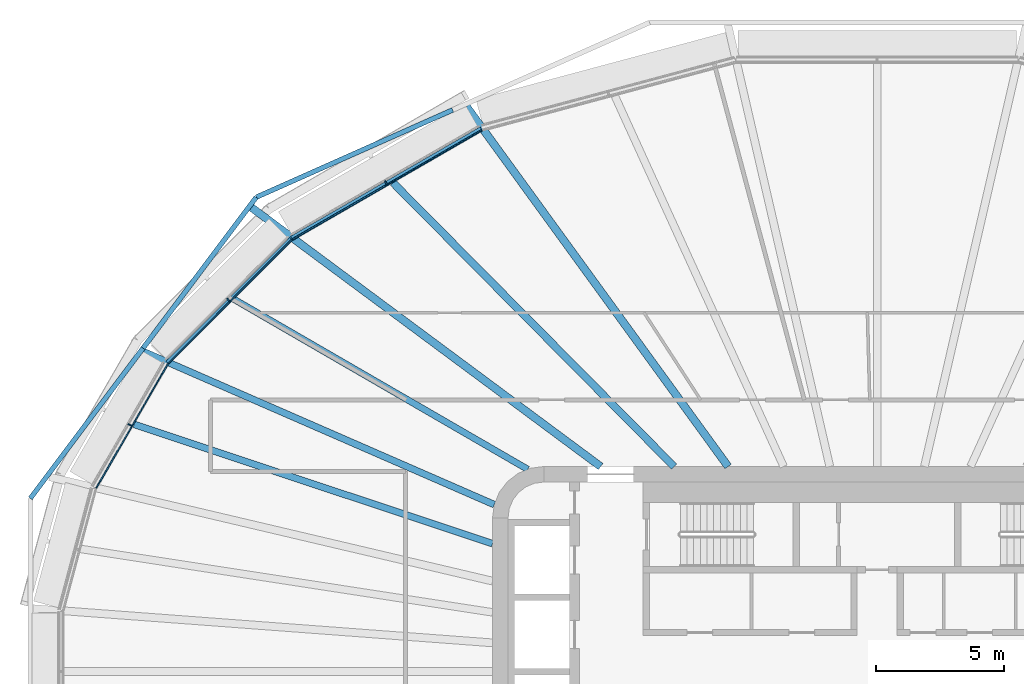
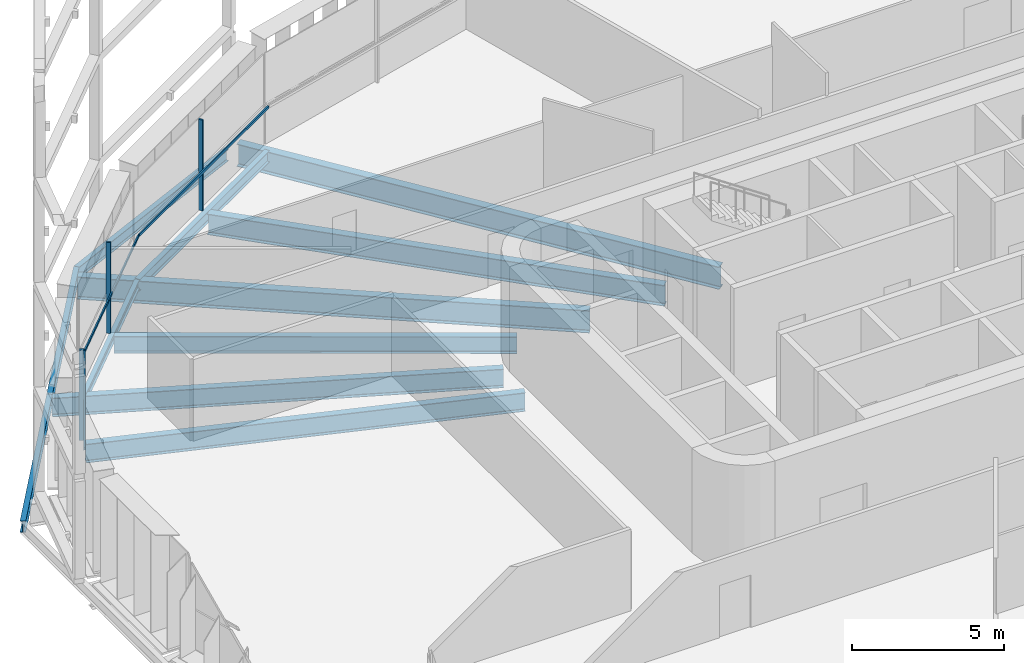
# One storey, part 7 of 26: 11 beams, 6 members, 3 elements without a shape of their own.
"""IFC4 building model written with IfcOpenShell, lengths in metres."""

from ifc_helpers import new_model, si_unit, direction, frame, origin, origin_2d, place, context, subcontext, project, spatial, rectangle, i_section, extrude, material, layer, layer_set, material_profile, profile_set, type_object, element, aggregate, save


model = new_model("IFC4")

# Units and contexts
model_context = context("Model", 3, precision=1e-05, world=origin(), true_north=direction((0.0, 1.0)))
body_context = subcontext(model_context, "Body", "Model", "MODEL_VIEW")
ifc_project = project(units=[si_unit("LENGTHUNIT", "METRE"), si_unit("AREAUNIT", "SQUARE_METRE"), si_unit("VOLUMEUNIT", "CUBIC_METRE"), si_unit("PLANEANGLEUNIT", "RADIAN"), si_unit("MASSUNIT", "GRAM", prefix="KILO")], contexts=[model_context])

# Site, building, storey
site_placement = place(None, origin())
site = spatial("IfcSite", under=ifc_project, at=site_placement, CompositionType="ELEMENT")
building_placement = place(site_placement, origin())
building = spatial("IfcBuilding", under=site, at=building_placement, Name="Sahrelin Media Tower", CompositionType="ELEMENT")
storey_placement = place(building_placement, frame((0.0, 0.0, 102.0)))
storey = spatial("IfcBuildingStorey", under=building, at=storey_placement, Name="L19", CompositionType="ELEMENT", Elevation=102.0)

# Beams
ifc_material_1 = material(Name="Steel S355", Category="steel")
ifc_material_profile_1 = material_profile(ifc_material_1, i_section(OverallWidth=0.17138671875, OverallDepth=0.35498046875, WebThickness=0.00732421875, FlangeThickness=0.011474609375, FilletRadius=0.01025390625, at=origin_2d()), Name="UB 356x171x51")
ifc_profile_set_1 = profile_set([ifc_material_profile_1], Name="Steel S355")
beam_type_1 = type_object("IfcBeamType", Name="Edge beam EB3", PredefinedType="BEAM", material=ifc_profile_set_1)
beam_1_placement = place(storey_placement, frame((-27.68115234375, 12.048583984375, -0.327392578125), z_axis=(0.707124646667, 0.707088915255, 0.0), x_axis=(-0.707088915255, 0.707124646667, 0.0)))
element("IfcBeam", 1, at=beam_1_placement, inside=storey, type_object=beam_type_1, Name="Edge beam L19-16", PredefinedType="BEAM", context=body_context, shape_type="SweptSolid", body=[
    extrude(i_section(OverallWidth=0.17138671875, OverallDepth=0.35498046875, WebThickness=0.00732421875, FlangeThickness=0.011474609375, FilletRadius=0.01025390625, at=origin_2d()), origin(), (0.0, 0.0, 1.0), 6.832763671875),
])
ifc_material_profile_2 = material_profile(ifc_material_1, i_section(OverallWidth=0.1904296875, OverallDepth=0.45703125, WebThickness=0.009033203125, FlangeThickness=0.014404296875, FilletRadius=0.01025390625, at=origin_2d()), Name="UB 457x191x74")
ifc_profile_set_2 = profile_set([ifc_material_profile_2], Name="Steel S355")
beam_type_2 = type_object("IfcBeamType", Name="Edge beam EB5", PredefinedType="BEAM", material=ifc_profile_set_2)
beam_2_placement = place(storey_placement, frame((-22.82666015625, 16.8974609375, -0.37841796875), z_axis=(0.866017364183, 0.500013924739, 0.0), x_axis=(-0.500013924739, 0.866017364183, 0.0)))
element("IfcBeam", 2, at=beam_2_placement, inside=storey, type_object=beam_type_2, Name="Edge beam L19-17", PredefinedType="BEAM", context=body_context, shape_type="SweptSolid", body=[
    extrude(i_section(OverallWidth=0.1904296875, OverallDepth=0.45703125, WebThickness=0.009033203125, FlangeThickness=0.014404296875, FilletRadius=0.01025390625, at=origin_2d()), origin(), (0.0, 0.0, 1.0), 8.531494140625),
])

# Curtain wall, member
ifc_material_2 = material(Name="Champagne anodised aluminium 6063-T6", Category="aluminium")
ifc_layer = layer(ifc_material_2, 0.14990234375)
ifc_layer_set = layer_set([ifc_layer], Name="Tower ribbon curtain wall")
curtain_wall_type = type_object("IfcCurtainWallType", Name="Tower ribbon curtain wall", PredefinedType="NOTDEFINED", material=ifc_layer_set)
curtain_wall_1_placement = place(storey_placement, frame((-19.20751953125, 19.160400390625, 0.0), z_axis=(0.0, 0.0, 1.0), x_axis=(1.0, 0.0, 0.0)))
curtain_wall_1 = element("IfcCurtainWall", 3, at=curtain_wall_1_placement, inside=storey, type_object=curtain_wall_type, Name="L19:CW:L19-08", PredefinedType="NOTDEFINED")
ifc_material_profile_3 = material_profile(ifc_material_2, rectangle(XDim=0.06005859375, YDim=0.14990234375, at=origin_2d()), Name="Mullion 60x150")
ifc_profile_set_3 = profile_set([ifc_material_profile_3], Name="Champagne anodised aluminium 6063-T6")
member_type_1 = type_object("IfcMemberType", Name="Mullion 60x150 CW1", PredefinedType="MULLION", material=ifc_profile_set_3)
member_1_placement = place(storey_placement, frame((-19.159912109375, 19.077880859375, 0.0), z_axis=(0.0, 0.0, 1.0), x_axis=(-0.866024531118, -0.500001511499, 0.0)))
member_1 = element("IfcMember", 4, at=member_1_placement, type_object=member_type_1, Name="L19:CWM:L19-08", PredefinedType="MULLION", context=body_context, shape_type="SweptSolid", body=[
    extrude(rectangle(XDim=0.06005859375, YDim=0.14990234375, at=origin_2d()), origin(), (0.0, 0.0, 1.0), 3.648681640625),
])

curtain_wall_2_placement = place(storey_placement, frame((-25.371337890625, 14.5703125, 0.0), z_axis=(0.0, 0.0, 1.0), x_axis=(1.0, 0.0, 0.0)))
curtain_wall_2 = element("IfcCurtainWall", 5, at=curtain_wall_2_placement, inside=storey, type_object=curtain_wall_type, Name="L19:CW:L19-09", PredefinedType="NOTDEFINED")
member_2_placement = place(storey_placement, frame((-25.30419921875, 14.503173828125, 0.0), z_axis=(0.0, 0.0, 1.0), x_axis=(-0.707106781187, -0.707106781187, 0.0)))
member_2 = element("IfcMember", 6, at=member_2_placement, type_object=member_type_1, Name="L19:CWM:L19-09", PredefinedType="MULLION", context=body_context, shape_type="SweptSolid", body=[
    extrude(rectangle(XDim=0.06005859375, YDim=0.14990234375, at=origin_2d()), origin(), (0.0, 0.0, 1.0), 3.648681640625),
])

curtain_wall_3_placement = place(storey_placement, frame((-29.231689453125, 9.67041015625, 0.0), z_axis=(0.0, 0.0, 1.0), x_axis=(1.0, 0.0, 0.0)))
curtain_wall_3 = element("IfcCurtainWall", 7, at=curtain_wall_3_placement, inside=storey, type_object=curtain_wall_type, Name="L19:CW:L19-10", PredefinedType="NOTDEFINED")
member_3_placement = place(storey_placement, frame((-29.1494140625, 9.622802734375, 0.0), z_axis=(0.0, 0.0, 1.0), x_axis=(-0.500004534492, -0.866022785779, 0.0)))
member_3 = element("IfcMember", 8, at=member_3_placement, type_object=member_type_1, Name="L19:CWM:L19-10", PredefinedType="MULLION", context=body_context, shape_type="SweptSolid", body=[
    extrude(rectangle(XDim=0.06005859375, YDim=0.14990234375, at=origin_2d()), origin(), (0.0, 0.0, 1.0), 3.648681640625),
])

# Beams
ifc_material_profile_4 = material_profile(ifc_material_1, i_section(OverallWidth=0.30322265625, OverallDepth=0.903076171875, WebThickness=0.01513671875, FlangeThickness=0.020263671875, FilletRadius=0.01904296875, at=origin_2d()), Name="UB 914x305x201")
ifc_profile_set_4 = profile_set([ifc_material_profile_4], Name="Steel S355")
beam_type_3 = type_object("IfcBeamType", Name="Radial primary beam PB11", PredefinedType="BEAM", material=ifc_profile_set_4)
beam_3_placement = place(storey_placement, frame((-5.8125, 8.0, -0.6015625), z_axis=(-0.587811216872, 0.808998129367, 0.0), x_axis=(-0.808998129367, -0.587811216872, 0.0)))
element("IfcBeam", 9, at=beam_3_placement, inside=storey, type_object=beam_type_3, Name="Radial beam L19-08", PredefinedType="BEAM", context=body_context, shape_type="SweptSolid", body=[
    extrude(i_section(OverallWidth=0.30322265625, OverallDepth=0.903076171875, WebThickness=0.01513671875, FlangeThickness=0.020263671875, FilletRadius=0.01904296875, at=origin_2d()), origin(), (0.0, 0.0, 1.0), 17.359130859375),
])
beam_4_placement = place(storey_placement, frame((-10.78466796875, 8.0, -0.6015625), z_axis=(-0.803151376875, 0.595775012755, 0.0), x_axis=(-0.595775012755, -0.803151376875, 0.0)))
element("IfcBeam", 10, at=beam_4_placement, inside=storey, type_object=beam_type_3, Name="Radial beam L19-09", PredefinedType="BEAM", context=body_context, shape_type="SweptSolid", body=[
    extrude(i_section(OverallWidth=0.30322265625, OverallDepth=0.903076171875, WebThickness=0.01513671875, FlangeThickness=0.020263671875, FilletRadius=0.01904296875, at=origin_2d()), origin(), (0.0, 0.0, 1.0), 16.952880859375),
])
ifc_material_profile_5 = material_profile(ifc_material_1, i_section(OverallWidth=0.26513671875, OverallDepth=0.75390625, WebThickness=0.0126953125, FlangeThickness=0.017578125, FilletRadius=0.0166015625, at=origin_2d()), Name="UB 762x267x147")
ifc_profile_set_5 = profile_set([ifc_material_profile_5], Name="Steel S355")
beam_type_4 = type_object("IfcBeamType", Name="Radial primary beam PB9", PredefinedType="BEAM", material=ifc_profile_set_5)
beam_5_placement = place(storey_placement, frame((-14.9326171875, 6.512939453125, -0.527099609375), z_axis=(-0.916601932833, 0.399801071442, 0.0), x_axis=(-0.399801071442, -0.916601932833, 0.0)))
element("IfcBeam", 11, at=beam_5_placement, inside=storey, type_object=beam_type_4, Name="Radial beam L19-10", PredefinedType="BEAM", context=body_context, shape_type="SweptSolid", body=[
    extrude(i_section(OverallWidth=0.26513671875, OverallDepth=0.75390625, WebThickness=0.0126953125, FlangeThickness=0.017578125, FilletRadius=0.0166015625, at=origin_2d()), origin(), (0.0, 0.0, 1.0), 14.927978515625),
])
ifc_material_profile_6 = material_profile(ifc_material_1, i_section(OverallWidth=0.291748046875, OverallDepth=0.8349609375, WebThickness=0.013916015625, FlangeThickness=0.018798828125, FilletRadius=0.017822265625, at=origin_2d()), Name="UB 838x292x176")
ifc_profile_set_6 = profile_set([ifc_material_profile_6], Name="Steel S355")
beam_type_5 = type_object("IfcBeamType", Name="Radial secondary beam SB10", PredefinedType="BEAM", material=ifc_profile_set_6)
beam_6_placement = place(storey_placement, frame((-7.92138671875, 8.0, -0.5673828125), z_axis=(-0.703602310212, 0.7105939692, 0.0), x_axis=(-0.7105939692, -0.703602310212, 0.0)))
element("IfcBeam", 12, at=beam_6_placement, inside=storey, type_object=beam_type_5, Name="Secondary beam L19-08", PredefinedType="BEAM", context=body_context, shape_type="SweptSolid", body=[
    extrude(i_section(OverallWidth=0.291748046875, OverallDepth=0.8349609375, WebThickness=0.013916015625, FlangeThickness=0.018798828125, FilletRadius=0.017822265625, at=origin_2d()), origin(), (0.0, 0.0, 1.0), 15.57373046875),
])
ifc_material_profile_7 = material_profile(ifc_material_1, i_section(OverallWidth=0.2529296875, OverallDepth=0.677978515625, WebThickness=0.01171875, FlangeThickness=0.01611328125, FilletRadius=0.01513671875, at=origin_2d()), Name="UB 686x254x125")
ifc_profile_set_7 = profile_set([ifc_material_profile_7], Name="Steel S355")
beam_type_6 = type_object("IfcBeamType", Name="Radial secondary beam SB8", PredefinedType="BEAM", material=ifc_profile_set_7)
beam_7_placement = place(storey_placement, frame((-13.625, 7.887451171875, -0.489013671875), z_axis=(-0.865447741605, 0.500999208134, 0.0), x_axis=(-0.500999208134, -0.865447741605, 0.0)))
element("IfcBeam", 13, at=beam_7_placement, inside=storey, type_object=beam_type_6, Name="Secondary beam L19-09", PredefinedType="BEAM", context=body_context, shape_type="SweptSolid", body=[
    extrude(i_section(OverallWidth=0.2529296875, OverallDepth=0.677978515625, WebThickness=0.01171875, FlangeThickness=0.01611328125, FilletRadius=0.01513671875, at=origin_2d()), origin(), (0.0, 0.0, 1.0), 13.2431640625),
])
ifc_material_profile_8 = material_profile(ifc_material_1, i_section(OverallWidth=0.26513671875, OverallDepth=0.75390625, WebThickness=0.0126953125, FlangeThickness=0.017578125, FilletRadius=0.0166015625, at=origin_2d()), Name="UB 762x267x147")
ifc_profile_set_8 = profile_set([ifc_material_profile_8], Name="Steel S355")
beam_type_7 = type_object("IfcBeamType", Name="Radial secondary beam SB9", PredefinedType="BEAM", material=ifc_profile_set_8)
beam_8_placement = place(storey_placement, frame((-15.0, 4.989990234375, -0.527099609375), z_axis=(-0.948863762476, 0.31568585692, 0.0), x_axis=(-0.31568585692, -0.948863762476, 0.0)))
element("IfcBeam", 14, at=beam_8_placement, inside=storey, type_object=beam_type_7, Name="Secondary beam L19-10", PredefinedType="BEAM", context=body_context, shape_type="SweptSolid", body=[
    extrude(i_section(OverallWidth=0.26513671875, OverallDepth=0.75390625, WebThickness=0.0126953125, FlangeThickness=0.017578125, FilletRadius=0.0166015625, at=origin_2d()), origin(), (0.0, 0.0, 1.0), 14.7333984375),
])
ifc_material_profile_9 = material_profile(ifc_material_1, i_section(OverallWidth=0.1904296875, OverallDepth=0.45703125, WebThickness=0.009033203125, FlangeThickness=0.014404296875, FilletRadius=0.01025390625, at=origin_2d()), Name="UB 457x191x74")
ifc_profile_set_9 = profile_set([ifc_material_profile_9], Name="Steel S355")
beam_type_8 = type_object("IfcBeamType", Name="Tie chord TC5", PredefinedType="BEAM", material=ifc_profile_set_9)
beam_9_placement = place(storey_placement, frame((-33.02880859375, 6.75634765625, -0.37841796875), z_axis=(0.600063983577, 0.799952008319, 0.0), x_axis=(-0.799952008319, 0.600063983577, 0.0)))
element("IfcBeam", 15, at=beam_9_placement, inside=storey, type_object=beam_type_8, Name="Tie chord L19-12", PredefinedType="BEAM", context=body_context, shape_type="SweptSolid", body=[
    extrude(i_section(OverallWidth=0.1904296875, OverallDepth=0.45703125, WebThickness=0.009033203125, FlangeThickness=0.014404296875, FilletRadius=0.01025390625, at=origin_2d()), origin(), (0.0, 0.0, 1.0), 7.325927734375),
])
beam_10_placement = place(storey_placement, frame((-28.6328125, 12.61669921875, -0.37841796875), z_axis=(0.60010086925, 0.799924338126, 0.0), x_axis=(-0.799924338126, 0.60010086925, 0.0)))
element("IfcBeam", 16, at=beam_10_placement, inside=storey, type_object=beam_type_8, Name="Tie chord L19-13", PredefinedType="BEAM", context=body_context, shape_type="SweptSolid", body=[
    extrude(i_section(OverallWidth=0.1904296875, OverallDepth=0.45703125, WebThickness=0.009033203125, FlangeThickness=0.014404296875, FilletRadius=0.01025390625, at=origin_2d()), origin(), (0.0, 0.0, 1.0), 7.357666015625),
])
beam_11_placement = place(storey_placement, frame((-24.217529296875, 18.502197265625, -0.37841796875), z_axis=(0.913791133972, 0.406184395901, 0.0), x_axis=(-0.406184395901, 0.913791133972, 0.0)))
element("IfcBeam", 17, at=beam_11_placement, inside=storey, type_object=beam_type_8, Name="Tie chord L19-14", PredefinedType="BEAM", context=body_context, shape_type="SweptSolid", body=[
    extrude(i_section(OverallWidth=0.1904296875, OverallDepth=0.45703125, WebThickness=0.009033203125, FlangeThickness=0.014404296875, FilletRadius=0.01025390625, at=origin_2d()), origin(), (0.0, 0.0, 1.0), 8.38427734375),
])

# Member
ifc_material_profile_10 = material_profile(ifc_material_2, rectangle(XDim=0.050048828125, YDim=0.10009765625, at=origin_2d()), Name="Transom 50x100")
ifc_profile_set_10 = profile_set([ifc_material_profile_10], Name="Champagne anodised aluminium 6063-T6")
member_type_2 = type_object("IfcMemberType", Name="Transom 50x100 CW1", PredefinedType="USERDEFINED", material=ifc_profile_set_10)
member_4_placement = place(storey_placement, frame((-15.429443359375, 21.116455078125, 1.60009765625), z_axis=(-0.866021522889, -0.500006721848, 0.0), x_axis=(0.500006721848, -0.866021522889, 0.0)))
member_4 = element("IfcMember", 18, at=member_4_placement, type_object=member_type_2, Name="L19:CWT:L19-08", ObjectType="TRANSOM", PredefinedType="USERDEFINED", context=body_context, shape_type="SweptSolid", body=[
    extrude(rectangle(XDim=0.050048828125, YDim=0.10009765625, at=origin_2d()), origin(), (0.0, 0.0, 1.0), 8.5),
])

aggregate(curtain_wall_1, [member_1, member_4])

member_5_placement = place(storey_placement, frame((-22.828857421875, 16.837158203125, 1.60009765625), z_axis=(-0.707106781187, -0.707106781187, 0.0), x_axis=(0.707106781187, -0.707106781187, 0.0)))
member_5 = element("IfcMember", 19, at=member_5_placement, type_object=member_type_2, Name="L19:CWT:L19-09", ObjectType="TRANSOM", PredefinedType="USERDEFINED", context=body_context, shape_type="SweptSolid", body=[
    extrude(rectangle(XDim=0.050048828125, YDim=0.10009765625, at=origin_2d()), origin(), (0.0, 0.0, 1.0), 6.801513671875),
])

aggregate(curtain_wall_2, [member_2, member_5])

member_6_placement = place(storey_placement, frame((-27.66748046875, 11.989501953125, 1.60009765625), z_axis=(-0.499987512418, -0.866032613373, 0.0), x_axis=(0.866032613373, -0.499987512418, 0.0)))
member_6 = element("IfcMember", 20, at=member_6_placement, type_object=member_type_2, Name="L19:CWT:L19-10", ObjectType="TRANSOM", PredefinedType="USERDEFINED", context=body_context, shape_type="SweptSolid", body=[
    extrude(rectangle(XDim=0.050048828125, YDim=0.10009765625, at=origin_2d()), origin(), (0.0, 0.0, 1.0), 5.581298828125),
])

aggregate(curtain_wall_3, [member_3, member_6])

save(model, "model.ifc")
